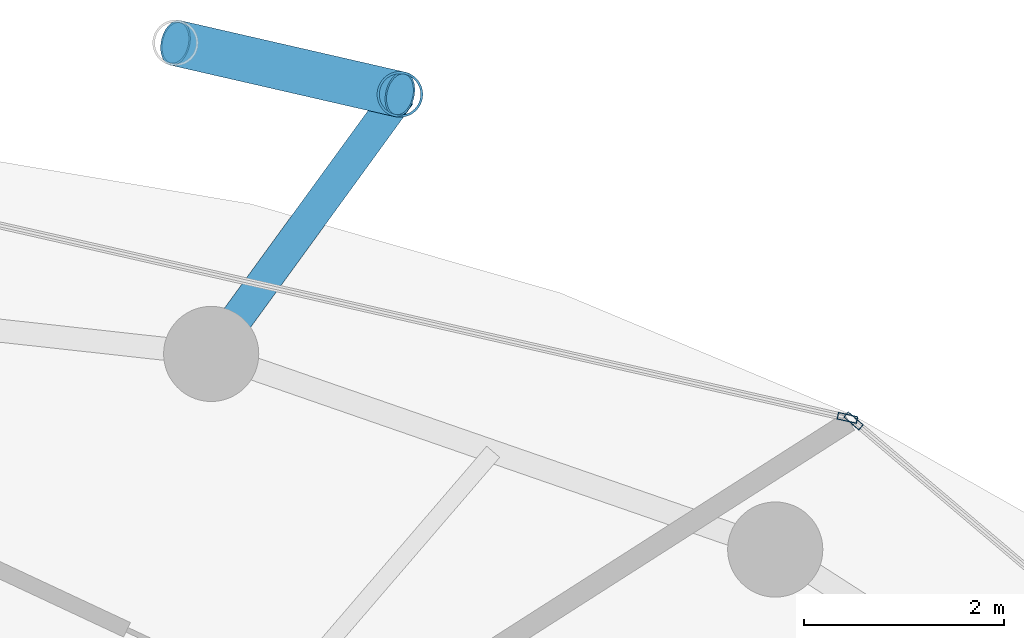
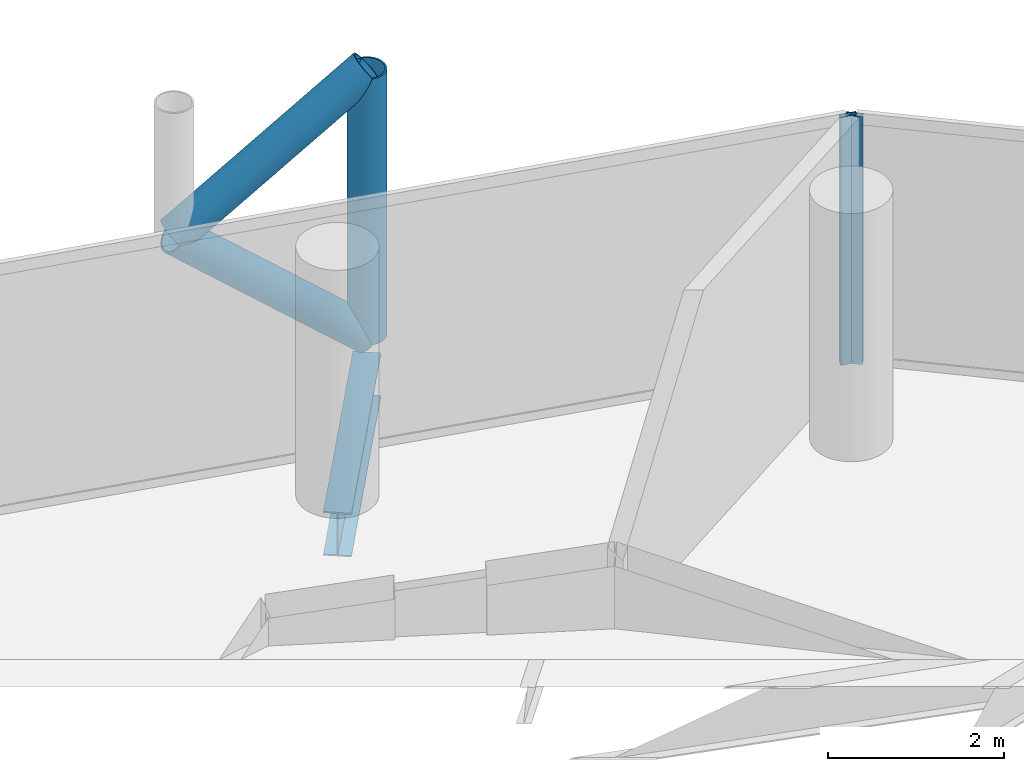
# One storey, part 20 of 26: 5 members, 1 beam, 2 elements without a shape of their own.
"""IFC4 building model written with IfcOpenShell, lengths in metres."""

from ifc_helpers import new_model, si_unit, direction, frame, origin, origin_2d, place, context, subcontext, project, spatial, hollow_rectangle, hollow_circle, i_section, extrude, material, layer, layer_set, material_profile, profile_set, type_object, element, aggregate, save


model = new_model("IFC4")

# Units and contexts
model_context = context("Model", 3, precision=1e-05, world=origin(), true_north=direction((0.0, 1.0)))
body_context = subcontext(model_context, "Body", "Model", "MODEL_VIEW")
ifc_project = project(units=[si_unit("LENGTHUNIT", "METRE"), si_unit("AREAUNIT", "SQUARE_METRE"), si_unit("VOLUMEUNIT", "CUBIC_METRE"), si_unit("PLANEANGLEUNIT", "RADIAN"), si_unit("MASSUNIT", "GRAM", prefix="KILO")], contexts=[model_context])

# Site, building, storey
site_placement = place(None, origin())
site = spatial("IfcSite", under=ifc_project, at=site_placement, CompositionType="ELEMENT")
building_placement = place(site_placement, origin())
building = spatial("IfcBuilding", under=site, at=building_placement, Name="Nuhasar Tower", CompositionType="ELEMENT")
storey_placement = place(building_placement, frame((0.0, 0.0, 144.14990234375)))
storey = spatial("IfcBuildingStorey", under=building, at=storey_placement, Name="L34", CompositionType="ELEMENT", Elevation=144.14990234375)

# Beam
ifc_material_1 = material(Name="Steel S355", Category="steel")
ifc_material_profile_1 = material_profile(ifc_material_1, i_section(OverallWidth=0.323974609375, OverallDepth=0.611083984375, WebThickness=0.0126953125, FlangeThickness=0.01904296875, at=origin_2d()), Name="W24X104")
ifc_profile_set_1 = profile_set([ifc_material_profile_1], Name="Steel S355")
beam_type = type_object("IfcBeamType", Name="BM-TIE-W24X104", PredefinedType="BEAM", material=ifc_profile_set_1)
beam_placement = place(storey_placement, frame((45.04296875, 45.68408203125, -0.554931640625), z_axis=(0.588185286445, 0.808726201387, 0.0), x_axis=(-0.808726201387, 0.588185286445, 0.0)))
element("IfcBeam", 1, at=beam_placement, inside=storey, type_object=beam_type, Name="L34 Exoskeleton Node Tie Beam 03", PredefinedType="BEAM", context=body_context, shape_type="SweptSolid", body=[
    extrude(i_section(OverallWidth=0.323974609375, OverallDepth=0.611083984375, WebThickness=0.0126953125, FlangeThickness=0.01904296875, at=origin_2d()), origin(), (0.0, 0.0, 1.0), 3.204833984375),
])

# Curtain wall, member
ifc_material_2 = material(Name="Aluminium 6063-T6", Category="aluminium")
ifc_layer = layer(ifc_material_2, 0.199951171875)
ifc_layer_set = layer_set([ifc_layer], Name="Aluminium 6063-T6")
curtain_wall_type = type_object("IfcCurtainWallType", Name="CW-Z2-HTL", PredefinedType="NOTDEFINED", material=ifc_layer_set)
curtain_wall_1_placement = place(storey_placement, origin())
curtain_wall_1 = element("IfcCurtainWall", 2, at=curtain_wall_1_placement, inside=storey, type_object=curtain_wall_type, Name="L34 Unitised Curtain Wall 02", PredefinedType="NOTDEFINED")
ifc_material_profile_2 = material_profile(ifc_material_2, hollow_rectangle(XDim=0.070068359375, YDim=0.199951171875, WallThickness=0.0048828125, at=origin_2d()), Name="CWM-3")
ifc_profile_set_2 = profile_set([ifc_material_profile_2], Name="Aluminium 6063-T6")
member_type_1 = type_object("IfcMemberType", Name="CW-MUL-S3", PredefinedType="MULLION", material=ifc_profile_set_2)
member_1_placement = place(storey_placement, frame((51.456787109375, 45.015380859375, 0.0), z_axis=(0.0, 0.0, 1.0), x_axis=(-0.646374438324, -0.763020370292, 0.0)))
member_1 = element("IfcMember", 3, at=member_1_placement, type_object=member_type_1, Name="CW-Z2 mullion 2", PredefinedType="MULLION", context=body_context, shape_type="SweptSolid", body=[
    extrude(hollow_rectangle(XDim=0.070068359375, YDim=0.199951171875, WallThickness=0.0048828125, at=origin_2d()), origin(), (0.0, 0.0, 1.0), 3.4501953125),
])
aggregate(curtain_wall_1, [member_1])

curtain_wall_2_placement = place(storey_placement, origin())
curtain_wall_2 = element("IfcCurtainWall", 4, at=curtain_wall_2_placement, inside=storey, type_object=curtain_wall_type, Name="L34 Unitised Curtain Wall 03", PredefinedType="NOTDEFINED")
member_2_placement = place(storey_placement, frame((51.395751953125, 45.045654296875, 0.0), z_axis=(0.0, 0.0, 1.0), x_axis=(-0.22139729566, -0.975183694221, 0.0)))
member_2 = element("IfcMember", 5, at=member_2_placement, type_object=member_type_1, Name="CW-Z2 mullion 1", PredefinedType="MULLION", context=body_context, shape_type="SweptSolid", body=[
    extrude(hollow_rectangle(XDim=0.070068359375, YDim=0.199951171875, WallThickness=0.0048828125, at=origin_2d()), origin(), (0.0, 0.0, 1.0), 3.4501953125),
])
aggregate(curtain_wall_2, [member_2])

# Members
ifc_material_3 = material(Name="Steel S460", Category="steel")
ifc_material_profile_3 = material_profile(ifc_material_3, hollow_circle(Radius=0.228515625, WallThickness=0.022216796875, at=origin_2d()), Name="HSS457X22.2")
ifc_profile_set_3 = profile_set([ifc_material_profile_3], Name="Steel S460")
member_type_2 = type_object("IfcMemberType", Name="EXO-BRONZE-457", PredefinedType="BRACE", material=ifc_profile_set_3)
member_3_placement = place(storey_placement, frame((46.927978515625, 48.27587890625, 0.0), z_axis=(0.0, 0.0, 1.0), x_axis=(1.0, 0.0, 0.0)))
element("IfcMember", 6, at=member_3_placement, inside=storey, type_object=member_type_2, Name="L34 Exoskeleton Chord Column EC-03A", PredefinedType="BRACE", context=body_context, shape_type="SweptSolid", body=[
    extrude(hollow_circle(Radius=0.228515625, WallThickness=0.022216796875, at=origin_2d()), origin(), (0.0, 0.0, 1.0), 3.7001953125),
])
for number, where, z_axis, x_axis, name in (
    (7, (46.927978515625, 48.27587890625, 0.0), (-0.759499549084, 0.174181209885, 0.626754609927), (-0.223533724104, -0.974696195842, 0.0), "L34 Bronze Diagrid Brace W1-03"),
    (8, (44.68603515625, 48.7900390625, 1.85009765625), (0.759499549084, -0.174181209885, 0.626754609927), (0.223533724104, 0.974696195842, 0.0), "L34 Bronze Diagrid Brace W2-03"),
):
    element("IfcMember", number, at=place(storey_placement, frame(where, z_axis=z_axis, x_axis=x_axis)), inside=storey, type_object=member_type_2, Name=name, PredefinedType="BRACE", context=body_context, shape_type="SweptSolid", body=[
        extrude(hollow_circle(Radius=0.228515625, WallThickness=0.022216796875, at=origin_2d()), origin(), (0.0, 0.0, 1.0), 2.951904296875),
    ])

save(model, "model.ifc")
